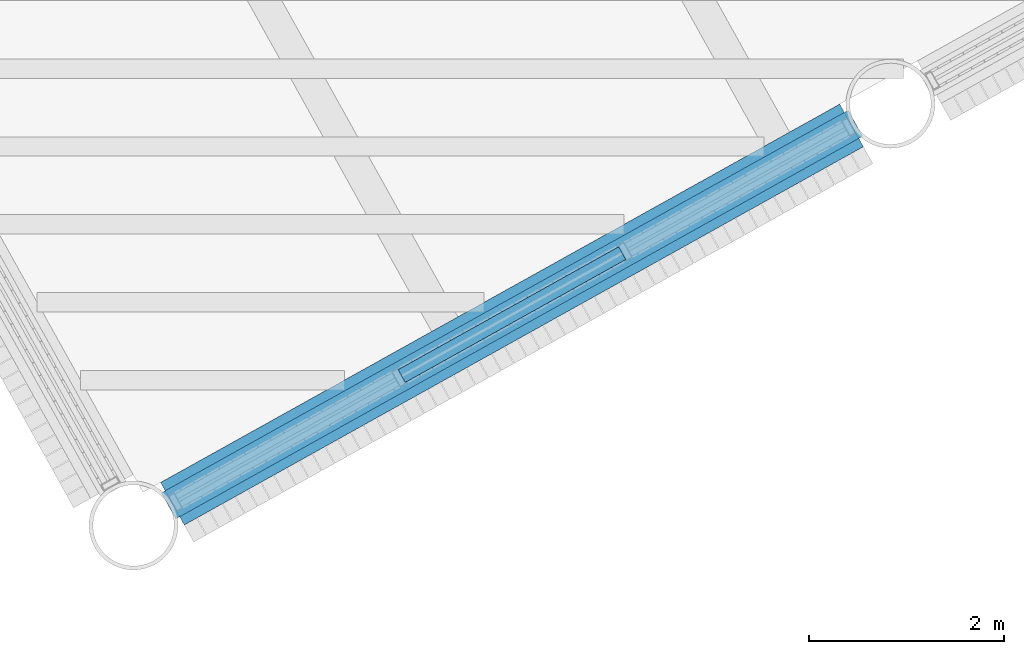
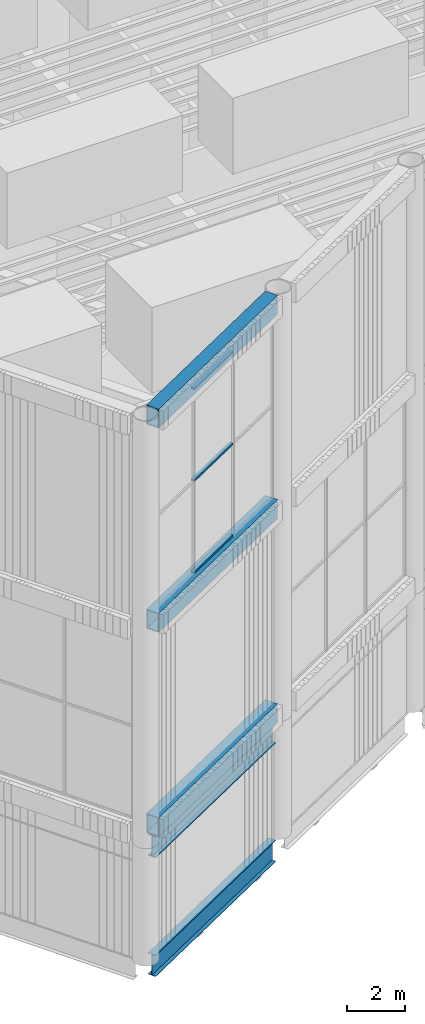
# One storey, part 8 of 117: 5 beams, 3 members, 1 element without a shape of its own.
"""IFC4 building model written with IfcOpenShell, lengths in metres."""

from ifc_helpers import new_model, si_unit, direction, frame, origin, origin_2d, place, context, subcontext, project, spatial, hollow_rectangle, i_section, extrude, material, layer, layer_set, material_profile, profile_set, type_object, element, aggregate, save


model = new_model("IFC4")

# Units and contexts
model_context = context("Model", 3, precision=1e-05, world=origin(), true_north=direction((0.0, 1.0)))
body_context = subcontext(model_context, "Body", "Model", "MODEL_VIEW")
ifc_project = project(units=[si_unit("LENGTHUNIT", "METRE"), si_unit("AREAUNIT", "SQUARE_METRE"), si_unit("VOLUMEUNIT", "CUBIC_METRE"), si_unit("PLANEANGLEUNIT", "RADIAN"), si_unit("MASSUNIT", "GRAM", prefix="KILO")], contexts=[model_context])

# Site, building, storey
site_placement = place(None, origin())
site = spatial("IfcSite", under=ifc_project, at=site_placement, CompositionType="ELEMENT")
building_placement = place(site_placement, origin())
building = spatial("IfcBuilding", under=site, at=building_placement, Name="Tarsis Ring Headquarters", CompositionType="ELEMENT")
storey_placement = place(building_placement, frame((0.0, 0.0, 403.60009765625)))
storey = spatial("IfcBuildingStorey", under=building, at=storey_placement, Name="L95", CompositionType="ELEMENT", Elevation=403.60009765625)

# Beams
ifc_material_1 = material(Name="Structural steel S355", Category="steel")
ifc_material_profile_1 = material_profile(ifc_material_1, hollow_rectangle(XDim=0.5, YDim=0.800048828125, WallThickness=0.030029296875, at=origin_2d()), Name="RHS 800x500x30")
ifc_profile_set_1 = profile_set([ifc_material_profile_1], Name="Structural steel S355")
beam_type_1 = type_object("IfcBeamType", Name="Crown frame ring beam RHS 800x500x30", PredefinedType="BEAM", material=ifc_profile_set_1)
for number, where, z_axis, x_axis, name in (
    (1, (-29.78857421875, -33.53515625, 5.39990234375), (0.873598789311, 0.486646848664, 0.0), (-0.486646848664, 0.873598789311, 0.0), "Crown frame ring beam R18"),
    (2, (-29.78857421875, -33.53515625, 14.0), (0.873598789311, 0.486646848664, 0.0), (-0.486646848664, 0.873598789311, 0.0), "Crown frame ring beam M18"),
    (3, (-29.78857421875, -33.53515625, 22.599853515625), (0.873598789311, 0.486646848664, 0.0), (-0.486646848664, 0.873598789311, 0.0), "Crown frame ring beam T18"),
):
    element("IfcBeam", number, at=place(storey_placement, frame(where, z_axis=z_axis, x_axis=x_axis)), inside=storey, type_object=beam_type_1, Name=name, PredefinedType="BEAM", context=body_context, shape_type="SweptSolid", body=[
        extrude(hollow_rectangle(XDim=0.5, YDim=0.800048828125, WallThickness=0.030029296875, at=origin_2d()), origin(), (0.0, 0.0, 1.0), 7.98828125),
    ])

# Curtain wall, members
ifc_material_2 = material(Name="Aluminium curtain wall", Category="aluminium")
ifc_layer = layer(ifc_material_2, 0.179931640625)
ifc_layer_set = layer_set([ifc_layer], Name="Curtain wall crown glazing")
curtain_wall_type = type_object("IfcCurtainWallType", Name="Curtain wall crown glazing", PredefinedType="NOTDEFINED", material=ifc_layer_set)
curtain_wall_placement = place(storey_placement, origin())
curtain_wall = element("IfcCurtainWall", 4, at=curtain_wall_placement, inside=storey, type_object=curtain_wall_type, Name="Crown glazing U18", PredefinedType="NOTDEFINED")
ifc_material_3 = material(Name="Aluminium transom", Category="aluminium")
ifc_material_profile_2 = material_profile(ifc_material_3, hollow_rectangle(XDim=0.14990234375, YDim=0.070068359375, WallThickness=0.0048828125, at=origin_2d()), Name="RHS 150x70x5")
ifc_profile_set_2 = profile_set([ifc_material_profile_2], Name="Aluminium transom")
member_type = type_object("IfcMemberType", Name="Crown glazing transom RHS 150x70x5", PredefinedType="USERDEFINED", material=ifc_profile_set_2)
member_1_placement = place(storey_placement, frame((-27.431884765625, -32.222412109375, 14.434814453125), z_axis=(0.873552533715, 0.486729874612, 0.0), x_axis=(-0.486729874612, 0.873552533715, 0.0)))
member_1 = element("IfcMember", 5, at=member_1_placement, type_object=member_type, Name="CW-C transom 2.1", ObjectType="TRANSOM", PredefinedType="USERDEFINED", context=body_context, shape_type="SweptSolid", body=[
    extrude(hollow_rectangle(XDim=0.14990234375, YDim=0.070068359375, WallThickness=0.0048828125, at=origin_2d()), origin(), (0.0, 0.0, 1.0), 2.5927734375),
])
member_2_placement = place(storey_placement, frame((-27.431884765625, -32.222412109375, 18.2998046875), z_axis=(0.873552533715, 0.486729874612, 0.0), x_axis=(-0.486729874612, 0.873552533715, 0.0)))
member_2 = element("IfcMember", 6, at=member_2_placement, type_object=member_type, Name="CW-C transom 2.2", ObjectType="TRANSOM", PredefinedType="USERDEFINED", context=body_context, shape_type="SweptSolid", body=[
    extrude(hollow_rectangle(XDim=0.14990234375, YDim=0.070068359375, WallThickness=0.0048828125, at=origin_2d()), origin(), (0.0, 0.0, 1.0), 2.5927734375),
])
member_3_placement = place(storey_placement, frame((-27.431884765625, -32.222412109375, 22.164794921875), z_axis=(0.873552533715, 0.486729874612, 0.0), x_axis=(-0.486729874612, 0.873552533715, 0.0)))
member_3 = element("IfcMember", 7, at=member_3_placement, type_object=member_type, Name="CW-C transom 2.3", ObjectType="TRANSOM", PredefinedType="USERDEFINED", context=body_context, shape_type="SweptSolid", body=[
    extrude(hollow_rectangle(XDim=0.14990234375, YDim=0.070068359375, WallThickness=0.0048828125, at=origin_2d()), origin(), (0.0, 0.0, 1.0), 2.5927734375),
])
aggregate(curtain_wall, [member_1, member_2, member_3])

# Beams
ifc_material_profile_3 = material_profile(ifc_material_1, i_section(OverallWidth=0.3046875, OverallDepth=0.904296875, WebThickness=0.01513671875, FlangeThickness=0.02001953125, at=origin_2d()), Name="W36x135")
ifc_profile_set_3 = profile_set([ifc_material_profile_3], Name="Structural steel S355")
beam_type_2 = type_object("IfcBeamType", Name="XG Ring girder W36x135", PredefinedType="BEAM", material=ifc_profile_set_3)
for number, where, z_axis, x_axis, name in (
    (8, (-29.828369140625, -33.557373046875, -0.4521484375), (0.873593670228, 0.486656038015, 0.0), (-0.486656038015, 0.873593670228, 0.0), "Ring girder XG5"),
    (9, (-29.828369140625, -33.557373046875, 4.5478515625), (0.873593670228, 0.486656038015, 0.0), (-0.486656038015, 0.873593670228, 0.0), "Ring girder XG5"),
):
    element("IfcBeam", number, at=place(storey_placement, frame(where, z_axis=z_axis, x_axis=x_axis)), inside=storey, type_object=beam_type_2, Name=name, PredefinedType="BEAM", context=body_context, shape_type="SweptSolid", body=[
        extrude(i_section(OverallWidth=0.3046875, OverallDepth=0.904296875, WebThickness=0.01513671875, FlangeThickness=0.02001953125, at=origin_2d()), origin(), (0.0, 0.0, 1.0), 8.079345703125),
    ])

save(model, "model.ifc")
